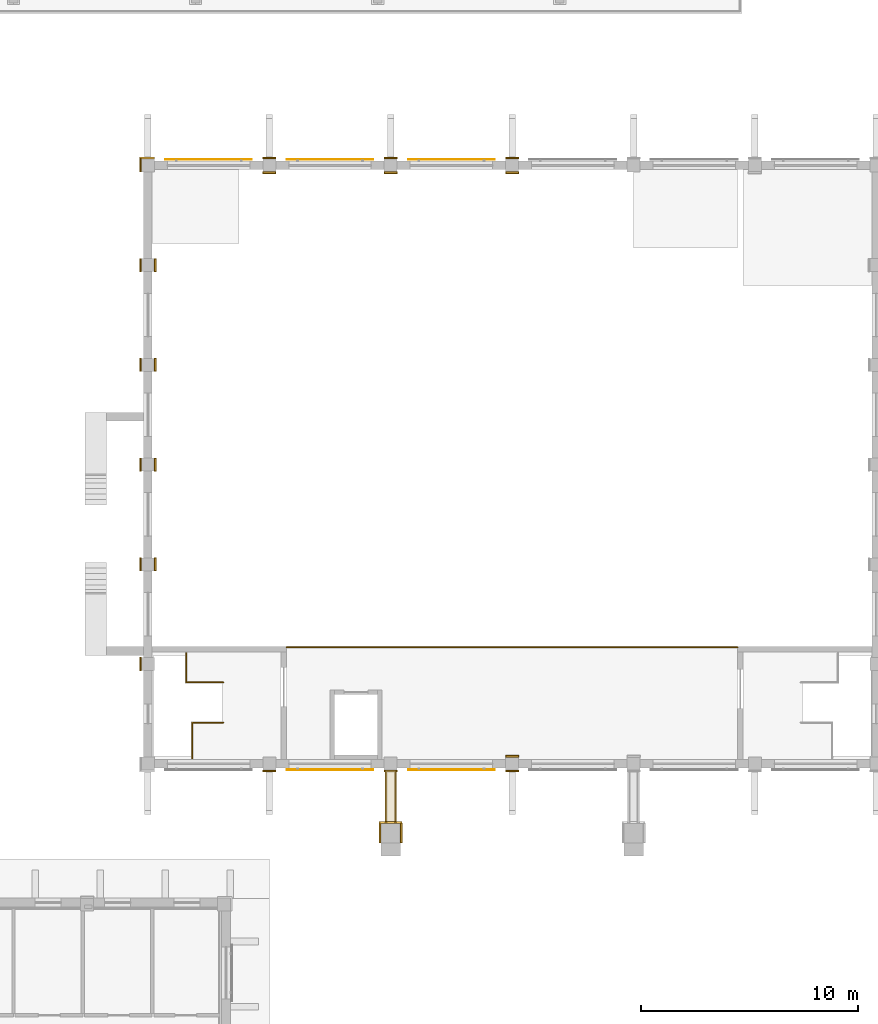
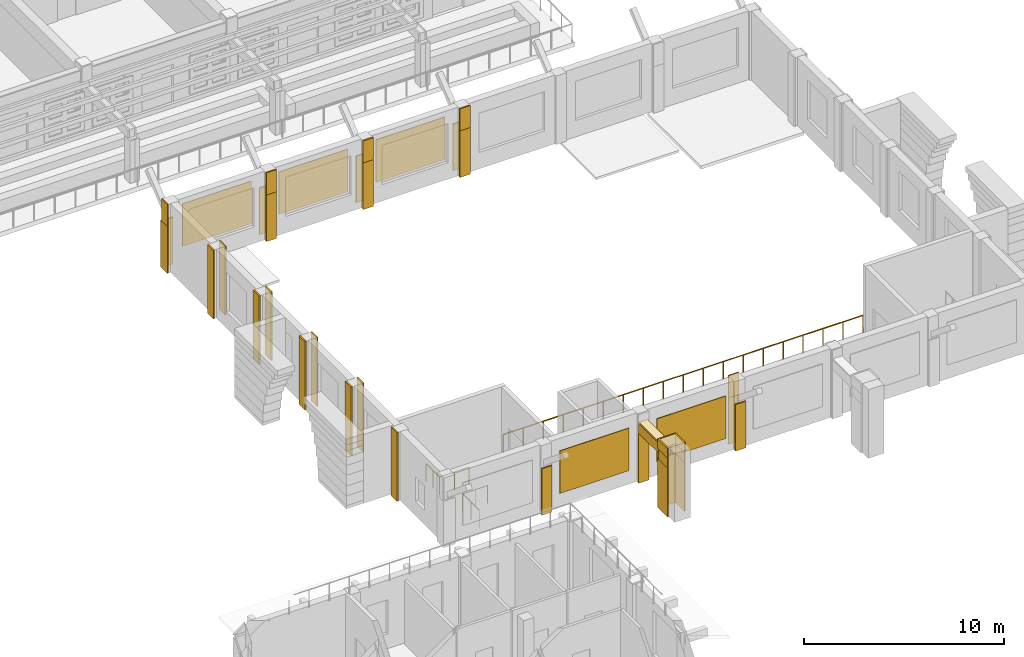
# One storey, part 57 of 68: 32 coverings, 5 shading devices, 3 railings.
"""IFC4 building model written with IfcOpenShell, lengths in metres."""

import ifcopenshell
import ifcopenshell.guid

model = None  # the IFC model being written
_history = None  # IfcOwnerHistory: only IFC2X3 demands one
_inside = {}  # id of a spatial element -> (the spatial element, [elements in it])
_under = {}  # id of a project, library or spatial element -> (it, [spatial elements below it])
_declared = {}  # id of a project -> (the project, [libraries it declares])
_typed = {}  # id of a type object -> (the type object, [elements of that type])
_made_of = {}  # id of a material, layer set ... -> (it, [elements and type objects made of it])


def new_model(schema):
    """Start an empty IFC model of exactly this schema.

    Asked for "IFC4X3", IfcOpenShell would pick the latest addendum, in which some entities
    have other attributes; the version numbers below select the first issue.
    IFC2X3 requires an IfcOwnerHistory on every rooted entity: one is made here for all.
    """
    global model, _history
    if schema == "IFC4X3":
        model = ifcopenshell.file(schema_version=(4, 3, 0, 0))
    else:
        model = ifcopenshell.file(schema=schema)
    _inside.clear()
    _under.clear()
    _declared.clear()
    _typed.clear()
    _made_of.clear()
    _history = None
    if model.schema == "IFC2X3":
        org = make("IfcOrganization", Name="unknown")
        user = make(
            "IfcPersonAndOrganization",
            ThePerson=make("IfcPerson", FamilyName="unknown"),
            TheOrganization=org,
        )
        app = make(
            "IfcApplication",
            ApplicationDeveloper=org,
            Version="unknown",
            ApplicationFullName="unknown",
            ApplicationIdentifier="unknown",
        )
        _history = make(
            "IfcOwnerHistory",
            OwningUser=user,
            OwningApplication=app,
            ChangeAction="ADDED",
            CreationDate=0,
        )
    return model


def make(cls, **values):
    """One entity of the class cls with the attributes given. An attribute that is None is left unset."""
    return model.create_entity(
        cls, **{name: value for name, value in values.items() if value is not None}
    )


def rooted(cls, **values):
    """An entity with a GlobalId (a new one), such as an element, a storey or a relation."""
    return make(cls, GlobalId=ifcopenshell.guid.new(), OwnerHistory=_history, **values)


def si_unit(unit_type, name, prefix=None):
    """IfcSIUnit, for example si_unit("LENGTHUNIT", "METRE", prefix="MILLI")."""
    return make("IfcSIUnit", UnitType=unit_type, Prefix=prefix, Name=name)


def assignment(units):
    """IfcUnitAssignment: the units of a project."""
    return None if units is None else make("IfcUnitAssignment", Units=units)


def point(xyz):
    """IfcCartesianPoint."""
    return None if xyz is None else make("IfcCartesianPoint", Coordinates=xyz)


def direction(xyz):
    """IfcDirection."""
    return None if xyz is None else make("IfcDirection", DirectionRatios=xyz)


def frame(location, z_axis=None, x_axis=None):
    """IfcAxis2Placement3D, a coordinate frame: its origin and axes. An axis left out is left unset."""
    return make(
        "IfcAxis2Placement3D",
        Location=point(location),
        Axis=direction(z_axis),
        RefDirection=direction(x_axis),
    )


def frame_2d(location, x_axis=None):
    """IfcAxis2Placement2D, a coordinate frame in the plane: its origin and x axis."""
    return make(
        "IfcAxis2Placement2D", Location=point(location), RefDirection=direction(x_axis)
    )


def origin():
    """The frame at (0, 0, 0) with its axes left unset."""
    return frame((0.0, 0.0, 0.0))


def origin_2d():
    """The frame at (0, 0) in the plane with its x axis left unset."""
    return frame_2d((0.0, 0.0))


def place(relative_to, where):
    """IfcLocalPlacement: puts the frame where relative to a parent placement (None: the world)."""
    return make(
        "IfcLocalPlacement", PlacementRelTo=relative_to, RelativePlacement=where
    )


def context(
    kind, dimensions, precision=None, world=None, true_north=None, identifier=None
):
    """IfcGeometricRepresentationContext, for example the 3D "Model" context."""
    return make(
        "IfcGeometricRepresentationContext",
        ContextIdentifier=identifier,
        ContextType=kind,
        CoordinateSpaceDimension=dimensions,
        Precision=precision,
        WorldCoordinateSystem=world,
        TrueNorth=true_north,
    )


def subcontext(parent, identifier, kind, view, scale=None):
    """IfcGeometricRepresentationSubContext, for example "Body" below "Model"."""
    return make(
        "IfcGeometricRepresentationSubContext",
        ContextIdentifier=identifier,
        ContextType=kind,
        ParentContext=parent,
        TargetScale=scale,
        TargetView=view,
    )


def project(units=None, contexts=None):
    """IfcProject with its units and contexts."""
    return rooted(
        "IfcProject",
        Name="project",
        RepresentationContexts=contexts,
        UnitsInContext=assignment(units),
    )


def spatial(cls, under=None, at=None, **own):
    """A site, building, storey or space (cls), placed at a placement, below another one or the project."""
    s = rooted(cls, ObjectPlacement=at, **own)
    if under is not None:
        _under.setdefault(under.id(), (under, []))[1].append(s)
    return s


def polyline(points):
    """IfcPolyline through the points."""
    return make("IfcPolyline", Points=[point(p) for p in points])


def profile(cls, at=None, kind="AREA", **sizes):
    """A parametric profile (cls). Its sizes go by their IFC names, for example OverallWidth=200.0."""
    return make(cls, ProfileType=kind, Position=at, **sizes)


def rectangle(**sizes):
    """IfcRectangleProfileDef."""
    return profile("IfcRectangleProfileDef", **sizes)


def circle(**sizes):
    """IfcCircleProfileDef."""
    return profile("IfcCircleProfileDef", **sizes)


def outline(outer, holes=None, kind="AREA"):
    """IfcArbitraryClosedProfileDef: a profile drawn as a closed curve; with holes, ...WithVoids."""
    if holes is None:
        return make("IfcArbitraryClosedProfileDef", ProfileType=kind, OuterCurve=outer)
    return make(
        "IfcArbitraryProfileDefWithVoids",
        ProfileType=kind,
        OuterCurve=outer,
        InnerCurves=holes,
    )


def extrude(swept, where, along, depth):
    """IfcExtrudedAreaSolid: the profile swept, set in the frame where, extruded along a direction by depth."""
    return make(
        "IfcExtrudedAreaSolid",
        SweptArea=swept,
        Position=where,
        ExtrudedDirection=direction(along),
        Depth=depth,
    )


def shape(context_of_items, identifier, shape_type, items):
    """IfcShapeRepresentation: the items that make up one representation, for example the "Body"."""
    return make(
        "IfcShapeRepresentation",
        ContextOfItems=context_of_items,
        RepresentationIdentifier=identifier,
        RepresentationType=shape_type,
        Items=items,
    )


def material(Name=None, Category=None):
    """IfcMaterial."""
    return make("IfcMaterial", Name=Name, Category=Category)


def layer(
    of_material, thickness, ventilated=None, Name=None, Category=None, Priority=None
):
    """IfcMaterialLayer: one layer of a wall or slab, of a material (None: an air gap)."""
    return make(
        "IfcMaterialLayer",
        Material=of_material,
        LayerThickness=thickness,
        IsVentilated=ventilated,
        Name=Name,
        Category=Category,
        Priority=Priority,
    )


def layer_set(layers, Name=None):
    """IfcMaterialLayerSet."""
    return make("IfcMaterialLayerSet", MaterialLayers=layers, LayerSetName=Name)


def made_of(thing, what):
    """Note that an element or type object is made of a material, layer set ...; save() writes the relation."""
    if what is not None:
        _made_of.setdefault(what.id(), (what, []))[1].append(thing)
    return thing


def type_object(cls, material=None, **own):
    """A type object (cls), such as IfcWallType, which elements share."""
    return made_of(rooted(cls, **own), material)


def element(
    cls,
    number,
    at=None,
    inside=None,
    cuts=None,
    type_object=None,
    material=None,
    context=None,
    identifier="Body",
    shape_type=None,
    held_by="IfcProductDefinitionShape",
    body=None,
    shapes=None,
    **own,
):
    """One element of the class cls, such as IfcWall. Its Tag is "e" and its number.

    at: its placement. inside: the storey or other place that contains it. cuts: it is an
    opening in that element (IfcRelVoidsElement). A single representation is given by context,
    identifier, shape_type and body (its items); several are given by shapes. held_by: the class
    of the entity that holds the representations. save() writes the other relations.
    """
    e = rooted(cls, Tag="e%d" % number, ObjectPlacement=at, **own)
    if body is not None:
        shapes = [shape(context, identifier, shape_type, body)]
    if shapes is not None:
        e.Representation = make(held_by, Representations=shapes)
    if inside is not None:
        _inside.setdefault(inside.id(), (inside, []))[1].append(e)
    if cuts is not None:
        rooted(
            "IfcRelVoidsElement", RelatingBuildingElement=cuts, RelatedOpeningElement=e
        )
    if type_object is not None:
        _typed.setdefault(type_object.id(), (type_object, []))[1].append(e)
    return made_of(e, material)


def aggregate(whole, parts):
    """IfcRelAggregates: a whole, such as a stair, and the parts it consists of."""
    return rooted("IfcRelAggregates", RelatingObject=whole, RelatedObjects=parts)


def save(model, path):
    """Write the relations noted so far, then the file.

    IfcRelAggregates (storeys below a building ...), IfcRelContainedInSpatialStructure (elements
    in a storey), IfcRelDefinesByType, IfcRelAssociatesMaterial and IfcRelDeclares: one each for
    every whole, place, type object, material and project.
    """
    for whole, parts in _under.values():
        aggregate(whole, parts)
    for where, things in _inside.values():
        rooted(
            "IfcRelContainedInSpatialStructure",
            RelatedElements=things,
            RelatingStructure=where,
        )
    for kind, things in _typed.values():
        rooted("IfcRelDefinesByType", RelatedObjects=things, RelatingType=kind)
    for what, things in _made_of.values():
        rooted("IfcRelAssociatesMaterial", RelatedObjects=things, RelatingMaterial=what)
    for by, libraries in _declared.values():
        rooted("IfcRelDeclares", RelatingContext=by, RelatedDefinitions=libraries)
    model.write(path)


model = new_model("IFC4")

# Units and contexts
model_context = context("Model", 3, precision=1e-05, world=origin(), true_north=direction((0.0, 1.0)))
body_context = subcontext(model_context, "Body", "Model", "MODEL_VIEW")
ifc_project = project(units=[si_unit("LENGTHUNIT", "METRE"), si_unit("AREAUNIT", "SQUARE_METRE"), si_unit("VOLUMEUNIT", "CUBIC_METRE"), si_unit("PLANEANGLEUNIT", "RADIAN"), si_unit("MASSUNIT", "GRAM", prefix="KILO")], contexts=[model_context])

# Site, building, storey
site_placement = place(None, origin())
site = spatial("IfcSite", under=ifc_project, at=site_placement, CompositionType="ELEMENT")
building_placement = place(site_placement, origin())
building = spatial("IfcBuilding", under=site, at=building_placement, Name="Wasatch Bagh Community Centre", CompositionType="ELEMENT")
storey_placement = place(building_placement, frame((0.0, 0.0, 8.39990234375)))
storey = spatial("IfcBuildingStorey", under=building, at=storey_placement, Name="L02", CompositionType="ELEMENT", Elevation=8.39990234375)

# Coverings
ifc_material_1 = material(Name="Cast stone cladding", Category="masonry")
ifc_layer_1 = layer(ifc_material_1, 0.080078125)
ifc_layer_set_1 = layer_set([ifc_layer_1], Name="Cast stone cladding")
covering_type_1 = type_object("IfcCoveringType", Name="CL-B7 beam facing", PredefinedType="CLADDING", material=ifc_layer_set_1)
covering_1_placement = place(storey_placement, frame((0.0, 0.0, 3.0)))
element("IfcCovering", 1, at=covering_1_placement, inside=storey, type_object=covering_type_1, Name="Beam facing", PredefinedType="CLADDING", context=body_context, shape_type="SweptSolid", body=[
    extrude(outline(polyline([(123.574951171875, 37.89990234375), (123.574951171875, 35.449951171875), (123.655029296875, 35.449951171875), (123.655029296875, 37.89990234375), (123.574951171875, 37.89990234375)])), origin(), (0.0, 0.0, 1.0), 0.60009765625),
])
covering_2_placement = place(storey_placement, frame((0.0, 0.0, 3.0)))
element("IfcCovering", 2, at=covering_2_placement, inside=storey, type_object=covering_type_1, Name="Beam facing", PredefinedType="CLADDING", context=body_context, shape_type="SweptSolid", body=[
    extrude(outline(polyline([(123.22509765625, 37.89990234375), (123.22509765625, 35.449951171875), (123.14501953125, 35.449951171875), (123.14501953125, 37.89990234375), (123.22509765625, 37.89990234375)])), origin(), (0.0, 0.0, 1.0), 0.60009765625),
])
covering_3_placement = place(storey_placement, frame((0.0, 0.0, 3.60009765625)))
element("IfcCovering", 3, at=covering_3_placement, inside=storey, type_object=covering_type_1, Name="Beam facing", PredefinedType="CLADDING", context=body_context, shape_type="SweptSolid", body=[
    extrude(outline(polyline([(123.14501953125, 37.89990234375), (123.14501953125, 35.449951171875), (123.655029296875, 35.449951171875), (123.655029296875, 37.89990234375), (123.14501953125, 37.89990234375)])), origin(), (0.0, 0.0, 1.0), 0.080078125),
])
ifc_layer_2 = layer(ifc_material_1, 0.080078125)
ifc_layer_set_2 = layer_set([ifc_layer_2], Name="Cast stone cladding")
covering_type_2 = type_object("IfcCoveringType", Name="CL-C1 column facing", PredefinedType="CLADDING", material=ifc_layer_set_2)
covering_4_placement = place(storey_placement, origin())
element("IfcCovering", 4, at=covering_4_placement, inside=storey, type_object=covering_type_2, Name="Column facing", PredefinedType="CLADDING", context=body_context, shape_type="SweptSolid", body=[
    extrude(outline(polyline([(122.8701171875, 34.550048828125), (122.8701171875, 35.530029296875), (123.929931640625, 35.530029296875), (123.929931640625, 34.550048828125), (123.85009765625, 34.550048828125), (123.85009765625, 35.449951171875), (122.949951171875, 35.449951171875), (122.949951171875, 34.550048828125), (122.8701171875, 34.550048828125)])), origin(), (0.0, 0.0, 1.0), 3.0),
])
covering_5_placement = place(storey_placement, frame((0.0, 0.0, 3.0)))
element("IfcCovering", 5, at=covering_5_placement, inside=storey, type_object=covering_type_2, Name="Column facing", PredefinedType="CLADDING", context=body_context, shape_type="SweptSolid", body=[
    extrude(outline(polyline([(123.85009765625, 35.449951171875), (123.929931640625, 35.449951171875), (123.929931640625, 34.550048828125), (123.85009765625, 34.550048828125), (123.85009765625, 35.449951171875)])), origin(), (0.0, 0.0, 1.0), 0.60009765625),
])
covering_6_placement = place(storey_placement, frame((0.0, 0.0, 3.0)))
element("IfcCovering", 6, at=covering_6_placement, inside=storey, type_object=covering_type_2, Name="Column facing", PredefinedType="CLADDING", context=body_context, shape_type="SweptSolid", body=[
    extrude(outline(polyline([(122.949951171875, 34.550048828125), (122.8701171875, 34.550048828125), (122.8701171875, 35.449951171875), (122.949951171875, 35.449951171875), (122.949951171875, 34.550048828125)])), origin(), (0.0, 0.0, 1.0), 0.60009765625),
])
covering_7_placement = place(storey_placement, frame((0.0, 0.0, 3.60009765625)))
element("IfcCovering", 7, at=covering_7_placement, inside=storey, type_object=covering_type_2, Name="Column facing", PredefinedType="CLADDING", context=body_context, shape_type="SweptSolid", body=[
    extrude(outline(polyline([(122.8701171875, 34.550048828125), (122.8701171875, 35.530029296875), (123.929931640625, 35.530029296875), (123.929931640625, 34.550048828125), (123.85009765625, 34.550048828125), (123.85009765625, 35.449951171875), (122.949951171875, 35.449951171875), (122.949951171875, 34.550048828125), (122.8701171875, 34.550048828125)])), origin(), (0.0, 0.0, 1.0), 0.60009765625),
])
covering_8_placement = place(storey_placement, origin())
element("IfcCovering", 8, at=covering_8_placement, inside=storey, type_object=covering_type_2, Name="Column facing", PredefinedType="CLADDING", context=body_context, shape_type="SweptSolid", body=[
    extrude(outline(polyline([(117.5, 37.89990234375), (118.10009765625, 37.89990234375), (118.10009765625, 37.820068359375), (117.5, 37.820068359375), (117.5, 37.89990234375)])), origin(), (0.0, 0.0, 1.0), 2.85009765625),
])
covering_9_placement = place(storey_placement, origin())
element("IfcCovering", 9, at=covering_9_placement, inside=storey, type_object=covering_type_2, Name="Column facing", PredefinedType="CLADDING", context=body_context, shape_type="SweptSolid", body=[
    extrude(outline(polyline([(123.10009765625, 37.89990234375), (123.699951171875, 37.89990234375), (123.699951171875, 37.820068359375), (123.10009765625, 37.820068359375), (123.10009765625, 37.89990234375)])), origin(), (0.0, 0.0, 1.0), 3.0),
])
covering_10_placement = place(storey_placement, origin())
element("IfcCovering", 10, at=covering_10_placement, inside=storey, type_object=covering_type_2, Name="Column facing", PredefinedType="CLADDING", context=body_context, shape_type="SweptSolid", body=[
    extrude(outline(polyline([(128.699951171875, 38.5), (128.699951171875, 38.580078125), (129.300048828125, 38.580078125), (129.300048828125, 38.5), (128.699951171875, 38.5)])), origin(), (0.0, 0.0, 1.0), 2.85009765625),
])
covering_11_placement = place(storey_placement, origin())
element("IfcCovering", 11, at=covering_11_placement, inside=storey, type_object=covering_type_2, Name="Column facing", PredefinedType="CLADDING", context=body_context, shape_type="SweptSolid", body=[
    extrude(outline(polyline([(129.300048828125, 37.89990234375), (129.300048828125, 37.820068359375), (128.699951171875, 37.820068359375), (128.699951171875, 37.89990234375), (129.300048828125, 37.89990234375)])), origin(), (0.0, 0.0, 1.0), 2.85009765625),
])
covering_12_placement = place(storey_placement, frame((0.0, 0.0, 2.85009765625)))
element("IfcCovering", 12, at=covering_12_placement, inside=storey, type_object=covering_type_2, Name="Column facing", PredefinedType="CLADDING", context=body_context, shape_type="SweptSolid", body=[
    extrude(outline(polyline([(129.300048828125, 38.5), (128.699951171875, 38.5), (128.699951171875, 38.580078125), (129.300048828125, 38.580078125), (129.300048828125, 38.5)])), origin(), (0.0, 0.0, 1.0), 1.35009765625),
])
covering_13_placement = place(storey_placement, origin())
element("IfcCovering", 13, at=covering_13_placement, inside=storey, type_object=covering_type_2, Name="Column facing", PredefinedType="CLADDING", context=body_context, shape_type="SweptSolid", body=[
    extrude(outline(polyline([(111.89990234375, 65.5), (111.820068359375, 65.5), (111.820068359375, 66.179931640625), (112.5, 66.179931640625), (112.5, 66.10009765625), (111.89990234375, 66.10009765625), (111.89990234375, 65.5)])), origin(), (0.0, 0.0, 1.0), 2.85009765625),
])
covering_14_placement = place(storey_placement, frame((0.0, 0.0, 2.85009765625)))
element("IfcCovering", 14, at=covering_14_placement, inside=storey, type_object=covering_type_2, Name="Column facing", PredefinedType="CLADDING", context=body_context, shape_type="SweptSolid", body=[
    extrude(outline(polyline([(111.89990234375, 66.10009765625), (111.89990234375, 65.5), (111.820068359375, 65.5), (111.820068359375, 66.10009765625), (111.89990234375, 66.10009765625)])), origin(), (0.0, 0.0, 1.0), 1.35009765625),
])
covering_15_placement = place(storey_placement, origin())
element("IfcCovering", 15, at=covering_15_placement, inside=storey, type_object=covering_type_2, Name="Column facing", PredefinedType="CLADDING", context=body_context, shape_type="SweptSolid", body=[
    extrude(outline(polyline([(117.5, 66.10009765625), (117.5, 66.179931640625), (118.10009765625, 66.179931640625), (118.10009765625, 66.10009765625), (117.5, 66.10009765625)])), origin(), (0.0, 0.0, 1.0), 2.85009765625),
])
covering_16_placement = place(storey_placement, origin())
element("IfcCovering", 16, at=covering_16_placement, inside=storey, type_object=covering_type_2, Name="Column facing", PredefinedType="CLADDING", context=body_context, shape_type="SweptSolid", body=[
    extrude(outline(polyline([(118.10009765625, 65.5), (118.10009765625, 65.419921875), (117.5, 65.419921875), (117.5, 65.5), (118.10009765625, 65.5)])), origin(), (0.0, 0.0, 1.0), 2.85009765625),
])
covering_17_placement = place(storey_placement, frame((0.0, 0.0, 2.85009765625)))
element("IfcCovering", 17, at=covering_17_placement, inside=storey, type_object=covering_type_2, Name="Column facing", PredefinedType="CLADDING", context=body_context, shape_type="SweptSolid", body=[
    extrude(outline(polyline([(117.5, 65.5), (118.10009765625, 65.5), (118.10009765625, 65.419921875), (117.5, 65.419921875), (117.5, 65.5)])), origin(), (0.0, 0.0, 1.0), 1.35009765625),
])
covering_18_placement = place(storey_placement, origin())
element("IfcCovering", 18, at=covering_18_placement, inside=storey, type_object=covering_type_2, Name="Column facing", PredefinedType="CLADDING", context=body_context, shape_type="SweptSolid", body=[
    extrude(outline(polyline([(123.10009765625, 66.10009765625), (123.10009765625, 66.179931640625), (123.699951171875, 66.179931640625), (123.699951171875, 66.10009765625), (123.10009765625, 66.10009765625)])), origin(), (0.0, 0.0, 1.0), 2.85009765625),
])
covering_19_placement = place(storey_placement, origin())
element("IfcCovering", 19, at=covering_19_placement, inside=storey, type_object=covering_type_2, Name="Column facing", PredefinedType="CLADDING", context=body_context, shape_type="SweptSolid", body=[
    extrude(outline(polyline([(123.699951171875, 65.5), (123.699951171875, 65.419921875), (123.10009765625, 65.419921875), (123.10009765625, 65.5), (123.699951171875, 65.5)])), origin(), (0.0, 0.0, 1.0), 2.85009765625),
])
covering_20_placement = place(storey_placement, frame((0.0, 0.0, 2.85009765625)))
element("IfcCovering", 20, at=covering_20_placement, inside=storey, type_object=covering_type_2, Name="Column facing", PredefinedType="CLADDING", context=body_context, shape_type="SweptSolid", body=[
    extrude(outline(polyline([(123.10009765625, 65.5), (123.699951171875, 65.5), (123.699951171875, 65.419921875), (123.10009765625, 65.419921875), (123.10009765625, 65.5)])), origin(), (0.0, 0.0, 1.0), 1.35009765625),
])
covering_21_placement = place(storey_placement, origin())
element("IfcCovering", 21, at=covering_21_placement, inside=storey, type_object=covering_type_2, Name="Column facing", PredefinedType="CLADDING", context=body_context, shape_type="SweptSolid", body=[
    extrude(outline(polyline([(128.699951171875, 66.10009765625), (128.699951171875, 66.179931640625), (129.300048828125, 66.179931640625), (129.300048828125, 66.10009765625), (128.699951171875, 66.10009765625)])), origin(), (0.0, 0.0, 1.0), 2.85009765625),
])
covering_22_placement = place(storey_placement, origin())
element("IfcCovering", 22, at=covering_22_placement, inside=storey, type_object=covering_type_2, Name="Column facing", PredefinedType="CLADDING", context=body_context, shape_type="SweptSolid", body=[
    extrude(outline(polyline([(129.300048828125, 65.5), (129.300048828125, 65.419921875), (128.699951171875, 65.419921875), (128.699951171875, 65.5), (129.300048828125, 65.5)])), origin(), (0.0, 0.0, 1.0), 2.85009765625),
])
covering_23_placement = place(storey_placement, frame((0.0, 0.0, 2.85009765625)))
element("IfcCovering", 23, at=covering_23_placement, inside=storey, type_object=covering_type_2, Name="Column facing", PredefinedType="CLADDING", context=body_context, shape_type="SweptSolid", body=[
    extrude(outline(polyline([(128.699951171875, 65.5), (129.300048828125, 65.5), (129.300048828125, 65.419921875), (128.699951171875, 65.419921875), (128.699951171875, 65.5)])), origin(), (0.0, 0.0, 1.0), 1.35009765625),
])
covering_24_placement = place(storey_placement, origin())
element("IfcCovering", 24, at=covering_24_placement, inside=storey, type_object=covering_type_2, Name="Column facing", PredefinedType="CLADDING", context=body_context, shape_type="SweptSolid", body=[
    extrude(outline(polyline([(111.89990234375, 43.10009765625), (111.89990234375, 42.5), (111.820068359375, 42.5), (111.820068359375, 43.10009765625), (111.89990234375, 43.10009765625)])), origin(), (0.0, 0.0, 1.0), 4.2001953125),
])
covering_25_placement = place(storey_placement, origin())
element("IfcCovering", 25, at=covering_25_placement, inside=storey, type_object=covering_type_2, Name="Column facing", PredefinedType="CLADDING", context=body_context, shape_type="SweptSolid", body=[
    extrude(outline(polyline([(112.5, 47.699951171875), (112.580078125, 47.699951171875), (112.580078125, 47.10009765625), (112.5, 47.10009765625), (112.5, 47.699951171875)])), origin(), (0.0, 0.0, 1.0), 4.2001953125),
])
covering_26_placement = place(storey_placement, origin())
element("IfcCovering", 26, at=covering_26_placement, inside=storey, type_object=covering_type_2, Name="Column facing", PredefinedType="CLADDING", context=body_context, shape_type="SweptSolid", body=[
    extrude(outline(polyline([(111.89990234375, 47.10009765625), (111.820068359375, 47.10009765625), (111.820068359375, 47.699951171875), (111.89990234375, 47.699951171875), (111.89990234375, 47.10009765625)])), origin(), (0.0, 0.0, 1.0), 4.2001953125),
])
covering_27_placement = place(storey_placement, origin())
element("IfcCovering", 27, at=covering_27_placement, inside=storey, type_object=covering_type_2, Name="Column facing", PredefinedType="CLADDING", context=body_context, shape_type="SweptSolid", body=[
    extrude(outline(polyline([(112.5, 52.300048828125), (112.580078125, 52.300048828125), (112.580078125, 51.699951171875), (112.5, 51.699951171875), (112.5, 52.300048828125)])), origin(), (0.0, 0.0, 1.0), 4.2001953125),
])
covering_28_placement = place(storey_placement, origin())
element("IfcCovering", 28, at=covering_28_placement, inside=storey, type_object=covering_type_2, Name="Column facing", PredefinedType="CLADDING", context=body_context, shape_type="SweptSolid", body=[
    extrude(outline(polyline([(111.89990234375, 51.699951171875), (111.820068359375, 51.699951171875), (111.820068359375, 52.300048828125), (111.89990234375, 52.300048828125), (111.89990234375, 51.699951171875)])), origin(), (0.0, 0.0, 1.0), 4.2001953125),
])
covering_29_placement = place(storey_placement, origin())
element("IfcCovering", 29, at=covering_29_placement, inside=storey, type_object=covering_type_2, Name="Column facing", PredefinedType="CLADDING", context=body_context, shape_type="SweptSolid", body=[
    extrude(outline(polyline([(112.5, 56.89990234375), (112.580078125, 56.89990234375), (112.580078125, 56.300048828125), (112.5, 56.300048828125), (112.5, 56.89990234375)])), origin(), (0.0, 0.0, 1.0), 4.2001953125),
])
covering_30_placement = place(storey_placement, origin())
element("IfcCovering", 30, at=covering_30_placement, inside=storey, type_object=covering_type_2, Name="Column facing", PredefinedType="CLADDING", context=body_context, shape_type="SweptSolid", body=[
    extrude(outline(polyline([(111.89990234375, 56.300048828125), (111.820068359375, 56.300048828125), (111.820068359375, 56.89990234375), (111.89990234375, 56.89990234375), (111.89990234375, 56.300048828125)])), origin(), (0.0, 0.0, 1.0), 4.2001953125),
])
covering_31_placement = place(storey_placement, origin())
element("IfcCovering", 31, at=covering_31_placement, inside=storey, type_object=covering_type_2, Name="Column facing", PredefinedType="CLADDING", context=body_context, shape_type="SweptSolid", body=[
    extrude(outline(polyline([(112.5, 61.5), (112.580078125, 61.5), (112.580078125, 60.89990234375), (112.5, 60.89990234375), (112.5, 61.5)])), origin(), (0.0, 0.0, 1.0), 4.2001953125),
])
covering_32_placement = place(storey_placement, origin())
element("IfcCovering", 32, at=covering_32_placement, inside=storey, type_object=covering_type_2, Name="Column facing", PredefinedType="CLADDING", context=body_context, shape_type="SweptSolid", body=[
    extrude(outline(polyline([(111.89990234375, 60.89990234375), (111.820068359375, 60.89990234375), (111.820068359375, 61.5), (111.89990234375, 61.5), (111.89990234375, 60.89990234375)])), origin(), (0.0, 0.0, 1.0), 4.2001953125),
])

# Railings
ifc_material_2 = material(Name="ASTM A36 steel", Category="steel")
railing_type = type_object("IfcRailingType", Name="SH guard", PredefinedType="GUARDRAIL", material=ifc_material_2)
railing_1_placement = place(storey_placement, frame((114.241943359375, 38.449951171875, 0.0)))
element("IfcRailing", 33, at=railing_1_placement, inside=storey, type_object=railing_type, Name="GUARD ST1", PredefinedType="GUARDRAIL", context=body_context, shape_type="SweptSolid", body=[
    extrude(circle(Radius=0.02392578125, at=origin_2d()), frame((0.0, 0.0, 1.076171875), z_axis=(0.0, 1.0, 0.0), x_axis=(-1.0, 0.0, 0.0)), (0.0, 0.0, 1.0), 1.650146484375),
    extrude(circle(Radius=0.02392578125, at=origin_2d()), frame((0.0, 1.650146484375, 1.076171875), z_axis=(1.0, 0.0, 0.0), x_axis=(0.0, 1.0, 0.0)), (0.0, 0.0, 1.0), 1.43798828125),
    extrude(circle(Radius=0.02099609375, at=origin_2d()), origin(), (0.0, 0.0, 1.0), 1.052001953125),
    extrude(circle(Radius=0.02099609375, at=origin_2d()), frame((0.0, 0.8251953125, 0.0)), (0.0, 0.0, 1.0), 1.052001953125),
    extrude(circle(Radius=0.02099609375, at=origin_2d()), frame((0.0, 1.650146484375, 0.0)), (0.0, 0.0, 1.0), 1.052001953125),
    extrude(circle(Radius=0.02099609375, at=origin_2d()), frame((0.718994140625, 1.650146484375, 0.0)), (0.0, 0.0, 1.0), 1.052001953125),
    extrude(circle(Radius=0.02099609375, at=origin_2d()), frame((1.43798828125, 1.650146484375, 0.0)), (0.0, 0.0, 1.0), 1.052001953125),
])
railing_2_placement = place(storey_placement, frame((113.969970703125, 43.300048828125, 0.0)))
element("IfcRailing", 34, at=railing_2_placement, inside=storey, type_object=railing_type, Name="GUARD ST1", PredefinedType="GUARDRAIL", context=body_context, shape_type="SweptSolid", body=[
    extrude(circle(Radius=0.02392578125, at=origin_2d()), frame((0.0, 0.0, 1.076171875), z_axis=(0.0, -1.0, 0.0), x_axis=(1.0, 0.0, 0.0)), (0.0, 0.0, 1.0), 1.35009765625),
    extrude(circle(Radius=0.02392578125, at=origin_2d()), frame((0.0, -1.35009765625, 1.076171875), z_axis=(1.0, 0.0, 0.0), x_axis=(0.0, 1.0, 0.0)), (0.0, 0.0, 1.0), 1.7099609375),
    extrude(circle(Radius=0.02099609375, at=origin_2d()), origin(), (0.0, 0.0, 1.0), 1.052001953125),
    extrude(circle(Radius=0.02099609375, at=origin_2d()), frame((0.0, -0.675048828125, 0.0)), (0.0, 0.0, 1.0), 1.052001953125),
    extrude(circle(Radius=0.02099609375, at=origin_2d()), frame((0.0, -1.35009765625, 0.0)), (0.0, 0.0, 1.0), 1.052001953125),
    extrude(circle(Radius=0.02099609375, at=origin_2d()), frame((0.85498046875, -1.35009765625, 0.0)), (0.0, 0.0, 1.0), 1.052001953125),
    extrude(circle(Radius=0.02099609375, at=origin_2d()), frame((1.7099609375, -1.35009765625, 0.0)), (0.0, 0.0, 1.0), 1.052001953125),
])
railing_3_placement = place(storey_placement, frame((118.60009765625, 43.574951171875, 0.0)))
element("IfcRailing", 35, at=railing_3_placement, inside=storey, type_object=railing_type, Name="GUARD gallery", PredefinedType="GUARDRAIL", context=body_context, shape_type="SweptSolid", body=[
    extrude(circle(Radius=0.02392578125, at=origin_2d()), frame((0.0, 0.0, 1.076171875), z_axis=(1.0, 0.0, 0.0), x_axis=(0.0, 1.0, 0.0)), (0.0, 0.0, 1.0), 20.7998046875),
    extrude(circle(Radius=0.02099609375, at=origin_2d()), origin(), (0.0, 0.0, 1.0), 1.052001953125),
    extrude(circle(Radius=0.02099609375, at=origin_2d()), frame((1.155517578125, 0.0, 0.0)), (0.0, 0.0, 1.0), 1.052001953125),
    extrude(circle(Radius=0.02099609375, at=origin_2d()), frame((2.31103515625, 0.0, 0.0)), (0.0, 0.0, 1.0), 1.052001953125),
    extrude(circle(Radius=0.02099609375, at=origin_2d()), frame((3.466552734375, 0.0, 0.0)), (0.0, 0.0, 1.0), 1.052001953125),
    extrude(circle(Radius=0.02099609375, at=origin_2d()), frame((4.6220703125, 0.0, 0.0)), (0.0, 0.0, 1.0), 1.052001953125),
    extrude(circle(Radius=0.02099609375, at=origin_2d()), frame((5.77783203125, 0.0, 0.0)), (0.0, 0.0, 1.0), 1.052001953125),
    extrude(circle(Radius=0.02099609375, at=origin_2d()), frame((6.933349609375, 0.0, 0.0)), (0.0, 0.0, 1.0), 1.052001953125),
    extrude(circle(Radius=0.02099609375, at=origin_2d()), frame((8.0888671875, 0.0, 0.0)), (0.0, 0.0, 1.0), 1.052001953125),
    extrude(circle(Radius=0.02099609375, at=origin_2d()), frame((9.244384765625, 0.0, 0.0)), (0.0, 0.0, 1.0), 1.052001953125),
    extrude(circle(Radius=0.02099609375, at=origin_2d()), frame((10.39990234375, 0.0, 0.0)), (0.0, 0.0, 1.0), 1.052001953125),
    extrude(circle(Radius=0.02099609375, at=origin_2d()), frame((11.555419921875, 0.0, 0.0)), (0.0, 0.0, 1.0), 1.052001953125),
    extrude(circle(Radius=0.02099609375, at=origin_2d()), frame((12.7109375, 0.0, 0.0)), (0.0, 0.0, 1.0), 1.052001953125),
    extrude(circle(Radius=0.02099609375, at=origin_2d()), frame((13.866455078125, 0.0, 0.0)), (0.0, 0.0, 1.0), 1.052001953125),
    extrude(circle(Radius=0.02099609375, at=origin_2d()), frame((15.02197265625, 0.0, 0.0)), (0.0, 0.0, 1.0), 1.052001953125),
    extrude(circle(Radius=0.02099609375, at=origin_2d()), frame((16.177734375, 0.0, 0.0)), (0.0, 0.0, 1.0), 1.052001953125),
    extrude(circle(Radius=0.02099609375, at=origin_2d()), frame((17.333251953125, 0.0, 0.0)), (0.0, 0.0, 1.0), 1.052001953125),
    extrude(circle(Radius=0.02099609375, at=origin_2d()), frame((18.48876953125, 0.0, 0.0)), (0.0, 0.0, 1.0), 1.052001953125),
    extrude(circle(Radius=0.02099609375, at=origin_2d()), frame((19.644287109375, 0.0, 0.0)), (0.0, 0.0, 1.0), 1.052001953125),
    extrude(circle(Radius=0.02099609375, at=origin_2d()), frame((20.7998046875, 0.0, 0.0)), (0.0, 0.0, 1.0), 1.052001953125),
])

# Shading devices
ifc_material_3 = material(Name="Precast concrete C40/50", Category="concrete")
ifc_layer_3 = layer(ifc_material_3, 0.0400390625)
ifc_layer_set_3 = layer_set([ifc_layer_3], Name="Precast concrete C40/50")
shading_device_type = type_object("IfcShadingDeviceType", Name="SH jali panel 40", PredefinedType="USERDEFINED", material=ifc_layer_set_3)
for number, where, z_axis, x_axis, name in (
    (36, (120.60009765625, 37.929931640625, 0.900146484375), (0.0, 0.0, 1.0), (1.0, 0.0, 0.0), "Jali shutter"),
    (37, (126.199951171875, 37.929931640625, 0.900146484375), (0.0, 0.0, 1.0), (1.0, 0.0, 0.0), "Jali shutter"),
    (38, (115.0, 66.070068359375, 0.900146484375), (0.0, 0.0, 1.0), (1.0, 0.0, 0.0), "Jali shutter"),
    (39, (120.60009765625, 66.070068359375, 0.900146484375), (0.0, 0.0, 1.0), (1.0, 0.0, 0.0), "Jali shutter"),
    (40, (126.199951171875, 66.070068359375, 0.900146484375), (0.0, 0.0, 1.0), (1.0, 0.0, 0.0), "Jali shutter"),
):
    element("IfcShadingDevice", number, at=place(storey_placement, frame(where, z_axis=z_axis, x_axis=x_axis)), inside=storey, type_object=shading_device_type, Name=name, ObjectType="Jali panel", PredefinedType="USERDEFINED", context=body_context, shape_type="SweptSolid", body=[
        extrude(rectangle(XDim=4.0, YDim=0.0400390625, at=origin_2d()), origin(), (0.0, 0.0, 1.0), 2.60009765625),
    ])

save(model, "model.ifc")
